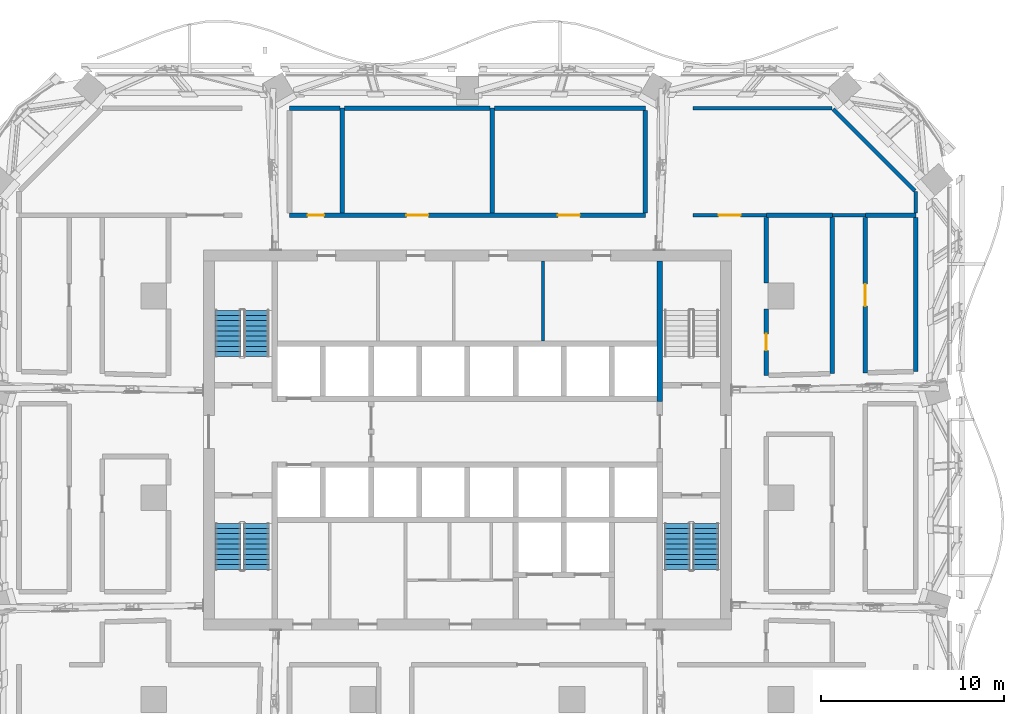
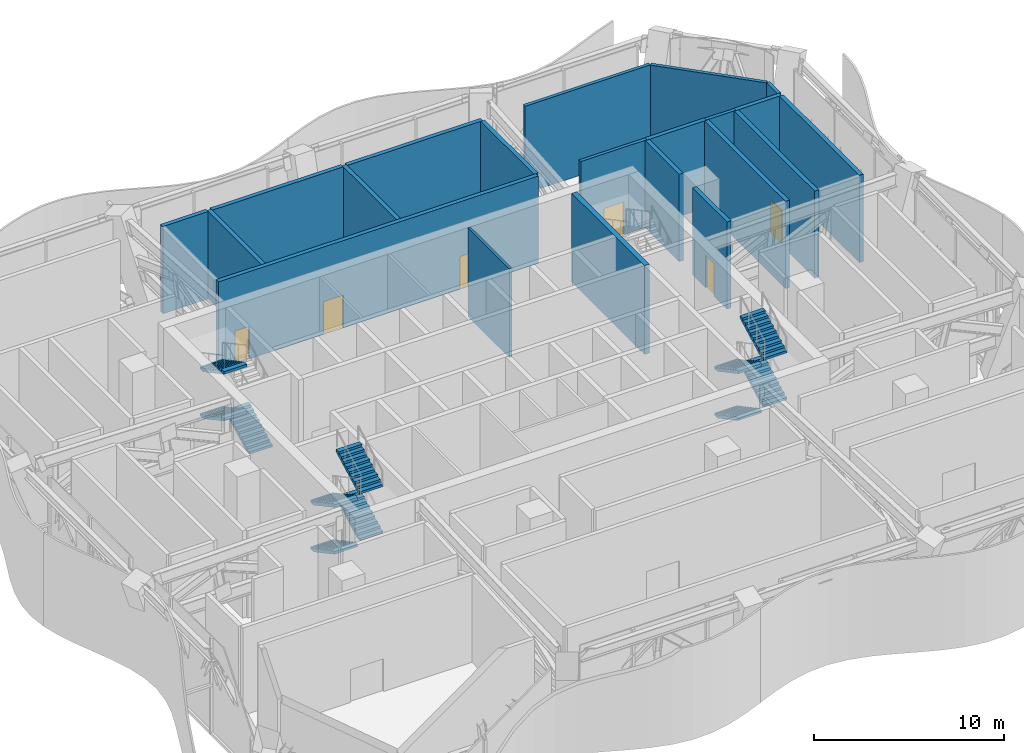
# One storey, part 11 of 26: 21 walls, 11 stair flights, 6 doors, 6 openings, 3 elements without a shape of their own.
"""IFC4 building model written with IfcOpenShell, lengths in metres."""

from ifc_helpers import new_model, si_unit, direction, frame, frame_2d, origin, place, context, subcontext, project, spatial, polyline, rectangle, outline, extrude, material, layer, layer_set, type_object, element, fill, aggregate, save


model = new_model("IFC4")

# Units and contexts
model_context = context("Model", 3, precision=1e-05, world=origin(), true_north=direction((0.0, 1.0)))
body_context = subcontext(model_context, "Body", "Model", "MODEL_VIEW")
ifc_project = project(units=[si_unit("LENGTHUNIT", "METRE"), si_unit("AREAUNIT", "SQUARE_METRE"), si_unit("VOLUMEUNIT", "CUBIC_METRE"), si_unit("PLANEANGLEUNIT", "RADIAN"), si_unit("MASSUNIT", "GRAM", prefix="KILO")], contexts=[model_context])

# Site, building, storey
site_placement = place(None, origin())
site = spatial("IfcSite", under=ifc_project, at=site_placement, CompositionType="ELEMENT")
building_placement = place(site_placement, origin())
building = spatial("IfcBuilding", under=site, at=building_placement, Name="Mopane Tessera Tower", CompositionType="ELEMENT")
storey_placement = place(building_placement, frame((0.0, 0.0, 205.0)))
storey = spatial("IfcBuildingStorey", under=building, at=storey_placement, Name="L43", CompositionType="ELEMENT", Elevation=205.0)

# Walls
ifc_material_1 = material(Name="Fire-rated gypsum board partition")
ifc_layer_1 = layer(ifc_material_1, 0.14990234375)
ifc_layer_set_1 = layer_set([ifc_layer_1], Name="Fire-rated gypsum board partition")
wall_type_1 = type_object("IfcWallType", Name="Core room partition 150 mm", PredefinedType="PARTITIONING", material=ifc_layer_set_1)
wall_1_placement = place(storey_placement, frame((4.125, 8.550048828125, 0.0), z_axis=(0.0, 0.0, 1.0), x_axis=(0.0, 1.0, 0.0)))
element("IfcWall", 1, at=wall_1_placement, inside=storey, type_object=wall_type_1, Name="L43 Room partition", PredefinedType="PARTITIONING", context=body_context, shape_type="SweptSolid", body=[
    extrude(rectangle(XDim=4.349853515625, YDim=0.14990234375, at=frame_2d((2.1748046875, 0.0))), origin(), (0.0, 0.0, 1.0), 5.699951171875),
])
ifc_material_2 = material(Name="Concrete C60/75", Category="concrete")
ifc_layer_2 = layer(ifc_material_2, 0.300048828125)
ifc_layer_set_2 = layer_set([ifc_layer_2], Name="Concrete C60/75")
wall_type_2 = type_object("IfcWallType", Name="Core spine wall 300 mm", PredefinedType="SHEAR", material=ifc_layer_set_2)
wall_2_placement = place(storey_placement, frame((10.5, 5.25, 0.0), z_axis=(0.0, 0.0, 1.0), x_axis=(0.0, 1.0, 0.0)))
element("IfcWall", 2, at=wall_2_placement, inside=storey, type_object=wall_type_2, Name="L43 Core spine wall", PredefinedType="SHEAR", context=body_context, shape_type="SweptSolid", body=[
    extrude(rectangle(XDim=7.64990234375, YDim=0.300048828125, at=frame_2d((3.824951171875, 0.0))), origin(), (0.0, 0.0, 1.0), 5.699951171875),
])

# Wall, opening, door
ifc_material_3 = material(Name="Gypsum board on steel studs, two layers each face, mineral wool infill", Category="steel")
ifc_layer_3 = layer(ifc_material_3, 0.199951171875)
ifc_layer_set_3 = layer_set([ifc_layer_3], Name="Gypsum board on steel studs, two layers each face, mineral wool infill")
wall_type_3 = type_object("IfcWallType", Name="Gypsum board corridor wall 200, rated EI 60", PredefinedType="PARTITIONING", material=ifc_layer_set_3)
wall_3_placement = place(storey_placement, frame((12.2900390625, 15.39990234375, 0.0), z_axis=(0.0, 0.0, 1.0), x_axis=(1.0, 0.0, 0.0)))
wall_3 = element("IfcWall", 3, at=wall_3_placement, inside=storey, type_object=wall_type_3, Name="Partition L43:023", PredefinedType="PARTITIONING", context=body_context, shape_type="SweptSolid", body=[
    extrude(rectangle(XDim=4.010009765625, YDim=0.199951171875, at=frame_2d((2.0048828125, 0.0))), origin(), (0.0, 0.0, 1.0), 5.60009765625),
])
opening_1_placement = place(wall_3_placement, frame((1.405029296875, 0.0, 0.0)))
opening_1 = element("IfcOpeningElement", 4, at=opening_1_placement, cuts=wall_3, Name="Opening L43-19", PredefinedType="OPENING", context=body_context, shape_type="SweptSolid", body=[
    extrude(rectangle(XDim=1.199951171875, YDim=2.10009765625, at=frame_2d((0.60009765625, 1.050048828125))), frame((0.0, 0.112060546875, 0.0), z_axis=(0.0, -1.0, 0.0), x_axis=(1.0, 0.0, 0.0)), (0.0, 0.0, 1.0), 0.223876953125),
])
ifc_material_4 = material(Name="Timber veneered steel-framed fire door", Category="steel")
door_type_1 = type_object("IfcDoorType", Name="Fire door FD60 1200 x 2100", OperationType="SINGLE_SWING_LEFT", PredefinedType="DOOR", material=ifc_material_4)
door_1_placement = place(opening_1_placement, origin())
door_1 = element("IfcDoor", 5, at=door_1_placement, inside=storey, type_object=door_type_1, Name="Door L43-19", ObjectType="D15A", OperationType="SINGLE_SWING_RIGHT", OverallHeight=2.10009765625, OverallWidth=1.199951171875, PredefinedType="DOOR", context=body_context, shape_type="SweptSolid", body=[
    extrude(rectangle(XDim=1.199951171875, YDim=2.10009765625, at=frame_2d((0.60009765625, 1.050048828125))), frame((0.0, 0.02490234375, 0.0), z_axis=(0.0, -1.0, 0.0), x_axis=(1.0, 0.0, 0.0)), (0.0, 0.0, 1.0), 0.050048828125),
])
fill(opening_1, door_1)

# Walls
wall_4_placement = place(storey_placement, frame((19.89990234375, 15.39990234375, 0.0), z_axis=(0.0, 0.0, 1.0), x_axis=(1.0, 0.0, 0.0)))
element("IfcWall", 6, at=wall_4_placement, inside=storey, type_object=wall_type_3, Name="Partition L43:024", PredefinedType="PARTITIONING", context=body_context, shape_type="SweptSolid", body=[
    extrude(rectangle(XDim=1.800048828125, YDim=0.199951171875, at=frame_2d((0.89990234375, 0.0))), origin(), (0.0, 0.0, 1.0), 5.60009765625),
])
wall_5_placement = place(storey_placement, frame((12.2900390625, 21.25, 0.0), z_axis=(0.0, 0.0, 1.0), x_axis=(1.0, 0.0, 0.0)))
element("IfcWall", 7, at=wall_5_placement, inside=storey, type_object=wall_type_3, Name="Partition L43:029", PredefinedType="PARTITIONING", context=body_context, shape_type="SweptSolid", body=[
    extrude(rectangle(XDim=7.599853515625, YDim=0.199951171875, at=frame_2d((3.7998046875, 0.0))), origin(), (0.0, 0.0, 1.0), 5.60009765625),
])
wall_6_placement = place(storey_placement, frame((24.449951171875, 15.52490234375, 0.0), z_axis=(0.0, 0.0, 1.0), x_axis=(0.0, 1.0, 0.0)))
element("IfcWall", 8, at=wall_6_placement, inside=storey, type_object=wall_type_3, Name="Partition L43:069", PredefinedType="PARTITIONING", context=body_context, shape_type="SweptSolid", body=[
    extrude(rectangle(XDim=1.1650390625, YDim=0.199951171875, at=frame_2d((0.58251953125, 0.0))), origin(), (0.0, 0.0, 1.0), 5.60009765625),
])
wall_7_placement = place(storey_placement, frame((19.93896484375, 21.200927734375, 0.0), z_axis=(0.0, 0.0, 1.0), x_axis=(0.707106781187, -0.707106781187, 0.0)))
element("IfcWall", 9, at=wall_7_placement, inside=storey, type_object=wall_type_3, Name="Partition L43:085", PredefinedType="PARTITIONING", context=body_context, shape_type="SweptSolid", body=[
    extrude(rectangle(XDim=6.31005859375, YDim=0.199951171875, at=frame_2d((3.155029296875, 0.0))), origin(), (0.0, 0.0, 1.0), 5.60009765625),
])

# Wall, openings, doors
ifc_material_5 = material(Name="Plastered concrete blockwork C20/25", Category="masonry")
ifc_layer_4 = layer(ifc_material_5, 0.25)
ifc_layer_set_4 = layer_set([ifc_layer_4], Name="Plastered concrete blockwork C20/25")
wall_type_4 = type_object("IfcWallType", Name="Plastered blockwork wall 250, rated EI 120", PredefinedType="PARTITIONING", material=ifc_layer_set_4)
wall_8_placement = place(storey_placement, frame((-9.699951171875, 15.39990234375, 0.0), z_axis=(0.0, 0.0, 1.0), x_axis=(1.0, 0.0, 0.0)))
wall_8 = element("IfcWall", 10, at=wall_8_placement, inside=storey, type_object=wall_type_4, Name="Partition L43:026", PredefinedType="PARTITIONING", context=body_context, shape_type="SweptSolid", body=[
    extrude(rectangle(XDim=19.39990234375, YDim=0.25, at=frame_2d((9.699951171875, 0.0))), origin(), (0.0, 0.0, 1.0), 5.60009765625),
])
opening_2_placement = place(wall_8_placement, frame((0.985107421875, 0.0, 0.0)))
opening_2 = element("IfcOpeningElement", 11, at=opening_2_placement, cuts=wall_8, Name="Opening L43-06", PredefinedType="OPENING", context=body_context, shape_type="SweptSolid", body=[
    extrude(rectangle(XDim=0.89990234375, YDim=2.10009765625, at=frame_2d((0.449951171875, 1.050048828125))), frame((0.0, 0.136962890625, 0.0), z_axis=(0.0, -1.0, 0.0), x_axis=(1.0, 0.0, 0.0)), (0.0, 0.0, 1.0), 0.27392578125),
])
opening_3_placement = place(wall_8_placement, frame((14.632568359375, 0.0, 0.0)))
opening_3 = element("IfcOpeningElement", 12, at=opening_3_placement, cuts=wall_8, Name="Opening L43-17", PredefinedType="OPENING", context=body_context, shape_type="SweptSolid", body=[
    extrude(rectangle(XDim=1.199951171875, YDim=2.10009765625, at=frame_2d((0.60009765625, 1.050048828125))), frame((0.0, 0.136962890625, 0.0), z_axis=(0.0, -1.0, 0.0), x_axis=(1.0, 0.0, 0.0)), (0.0, 0.0, 1.0), 0.27392578125),
])
opening_4_placement = place(wall_8_placement, frame((6.367431640625, 0.0, 0.0)))
opening_4 = element("IfcOpeningElement", 13, at=opening_4_placement, cuts=wall_8, Name="Opening L43-21", PredefinedType="OPENING", context=body_context, shape_type="SweptSolid", body=[
    extrude(rectangle(XDim=1.199951171875, YDim=2.10009765625, at=frame_2d((0.60009765625, 1.050048828125))), frame((0.0, 0.136962890625, 0.0), z_axis=(0.0, -1.0, 0.0), x_axis=(1.0, 0.0, 0.0)), (0.0, 0.0, 1.0), 0.27392578125),
])
ifc_material_6 = material(Name="Timber veneered steel-framed fire door", Category="steel")
door_type_2 = type_object("IfcDoorType", Name="Fire door FD120 1200 x 2100", OperationType="SINGLE_SWING_LEFT", PredefinedType="DOOR", material=ifc_material_6)
door_2_placement = place(opening_3_placement, origin())
door_2 = element("IfcDoor", 14, at=door_2_placement, inside=storey, type_object=door_type_2, Name="Door L43-17", ObjectType="D15B", OperationType="SINGLE_SWING_LEFT", OverallHeight=2.10009765625, OverallWidth=1.199951171875, PredefinedType="DOOR", context=body_context, shape_type="SweptSolid", body=[
    extrude(rectangle(XDim=1.199951171875, YDim=2.10009765625, at=frame_2d((0.60009765625, 1.050048828125))), frame((0.0, 0.02490234375, 0.0), z_axis=(0.0, -1.0, 0.0), x_axis=(1.0, 0.0, 0.0)), (0.0, 0.0, 1.0), 0.050048828125),
])
fill(opening_3, door_2)
door_3_placement = place(opening_4_placement, origin())
door_3 = element("IfcDoor", 15, at=door_3_placement, inside=storey, type_object=door_type_2, Name="Door L43-21", ObjectType="D15B", OperationType="SINGLE_SWING_LEFT", OverallHeight=2.10009765625, OverallWidth=1.199951171875, PredefinedType="DOOR", context=body_context, shape_type="SweptSolid", body=[
    extrude(rectangle(XDim=1.199951171875, YDim=2.10009765625, at=frame_2d((0.60009765625, 1.050048828125))), frame((0.0, 0.02490234375, 0.0), z_axis=(0.0, -1.0, 0.0), x_axis=(1.0, 0.0, 0.0)), (0.0, 0.0, 1.0), 0.050048828125),
])
fill(opening_4, door_3)
ifc_material_7 = material(Name="Timber veneered steel-framed fire door", Category="steel")
door_type_3 = type_object("IfcDoorType", Name="Fire door FD120 900 x 2100", OperationType="SINGLE_SWING_LEFT", PredefinedType="DOOR", material=ifc_material_7)
door_4_placement = place(opening_2_placement, origin())
door_4 = element("IfcDoor", 16, at=door_4_placement, inside=storey, type_object=door_type_3, Name="Door L43-06", ObjectType="D10B", OperationType="SINGLE_SWING_RIGHT", OverallHeight=2.10009765625, OverallWidth=0.89990234375, PredefinedType="DOOR", context=body_context, shape_type="SweptSolid", body=[
    extrude(rectangle(XDim=0.89990234375, YDim=2.10009765625, at=frame_2d((0.449951171875, 1.050048828125))), frame((0.0, 0.02490234375, 0.0), z_axis=(0.0, -1.0, 0.0), x_axis=(1.0, 0.0, 0.0)), (0.0, 0.0, 1.0), 0.050048828125),
])
fill(opening_2, door_4)

# Walls
wall_9_placement = place(storey_placement, frame((16.300048828125, 15.39990234375, 0.0), z_axis=(0.0, 0.0, 1.0), x_axis=(1.0, 0.0, 0.0)))
element("IfcWall", 17, at=wall_9_placement, inside=storey, type_object=wall_type_4, Name="Partition L43:027", PredefinedType="PARTITIONING", context=body_context, shape_type="SweptSolid", body=[
    extrude(rectangle(XDim=3.599853515625, YDim=0.25, at=frame_2d((1.7998046875, 0.0))), origin(), (0.0, 0.0, 1.0), 5.60009765625),
])
wall_10_placement = place(storey_placement, frame((21.699951171875, 15.39990234375, 0.0), z_axis=(0.0, 0.0, 1.0), x_axis=(1.0, 0.0, 0.0)))
element("IfcWall", 18, at=wall_10_placement, inside=storey, type_object=wall_type_4, Name="Partition L43:028", PredefinedType="PARTITIONING", context=body_context, shape_type="SweptSolid", body=[
    extrude(rectangle(XDim=2.75, YDim=0.25, at=frame_2d((1.375, 0.0))), origin(), (0.0, 0.0, 1.0), 5.60009765625),
])
wall_11_placement = place(storey_placement, frame((-9.699951171875, 21.25, 0.0), z_axis=(0.0, 0.0, 1.0), x_axis=(1.0, 0.0, 0.0)))
element("IfcWall", 19, at=wall_11_placement, inside=storey, type_object=wall_type_4, Name="Partition L43:031", PredefinedType="PARTITIONING", context=body_context, shape_type="SweptSolid", body=[
    extrude(rectangle(XDim=2.744873046875, YDim=0.25, at=frame_2d((1.37255859375, 0.0))), origin(), (0.0, 0.0, 1.0), 5.60009765625),
])
wall_12_placement = place(storey_placement, frame((-6.705078125, 21.25, 0.0), z_axis=(0.0, 0.0, 1.0), x_axis=(1.0, 0.0, 0.0)))
element("IfcWall", 20, at=wall_12_placement, inside=storey, type_object=wall_type_4, Name="Partition L43:032", PredefinedType="PARTITIONING", context=body_context, shape_type="SweptSolid", body=[
    extrude(rectangle(XDim=7.945068359375, YDim=0.25, at=frame_2d((3.97265625, 0.0))), origin(), (0.0, 0.0, 1.0), 5.60009765625),
])
wall_13_placement = place(storey_placement, frame((1.489990234375, 21.25, 0.0), z_axis=(0.0, 0.0, 1.0), x_axis=(1.0, 0.0, 0.0)))
element("IfcWall", 21, at=wall_13_placement, inside=storey, type_object=wall_type_4, Name="Partition L43:033", PredefinedType="PARTITIONING", context=body_context, shape_type="SweptSolid", body=[
    extrude(rectangle(XDim=8.2099609375, YDim=0.25, at=frame_2d((4.10498046875, 0.0))), origin(), (0.0, 0.0, 1.0), 5.60009765625),
])
for number, where, z_axis, x_axis, name in (
    (22, (-6.830078125, 15.52490234375, 0.0), (0.0, 0.0, 1.0), (0.0, 1.0, 0.0), "Partition L43:052"),
    (23, (1.364990234375, 15.52490234375, 0.0), (0.0, 0.0, 1.0), (0.0, 1.0, 0.0), "Partition L43:055"),
):
    element("IfcWall", number, at=place(storey_placement, frame(where, z_axis=z_axis, x_axis=x_axis)), inside=storey, type_object=wall_type_4, Name=name, PredefinedType="PARTITIONING", context=body_context, shape_type="SweptSolid", body=[
        extrude(rectangle(XDim=5.72509765625, YDim=0.25, at=frame_2d((2.862548828125, 0.0))), origin(), (0.0, 0.0, 1.0), 5.60009765625),
    ])
wall_14_placement = place(storey_placement, frame((9.699951171875, 15.52490234375, 0.0), z_axis=(0.0, 0.0, 1.0), x_axis=(0.0, 1.0, 0.0)))
element("IfcWall", 24, at=wall_14_placement, inside=storey, type_object=wall_type_4, Name="Partition L43:058", PredefinedType="PARTITIONING", context=body_context, shape_type="SweptSolid", body=[
    extrude(rectangle(XDim=5.60009765625, YDim=0.25, at=frame_2d((2.800048828125, 0.0))), origin(), (0.0, 0.0, 1.0), 5.60009765625),
])

# Wall, opening, door
wall_15_placement = place(storey_placement, frame((16.300048828125, 6.669921875, 0.0), z_axis=(0.0, 0.0, 1.0), x_axis=(0.0, 1.0, 0.0)))
wall_15 = element("IfcWall", 25, at=wall_15_placement, inside=storey, type_object=wall_type_4, Name="Partition L43:062", PredefinedType="PARTITIONING", context=body_context, shape_type="SweptSolid", body=[
    extrude(rectangle(XDim=3.630126953125, YDim=0.25, at=frame_2d((1.81494140625, 0.0))), origin(), (0.0, 0.0, 1.0), 5.60009765625),
])
opening_5_placement = place(wall_15_placement, frame((1.364990234375, 0.0, 0.0)))
opening_5 = element("IfcOpeningElement", 26, at=opening_5_placement, cuts=wall_15, Name="Opening L43-08", PredefinedType="OPENING", context=body_context, shape_type="SweptSolid", body=[
    extrude(rectangle(XDim=0.89990234375, YDim=2.10009765625, at=frame_2d((0.449951171875, 1.050048828125))), frame((0.0, 0.136962890625, 0.0), z_axis=(0.0, -1.0, 0.0), x_axis=(1.0, 0.0, 0.0)), (0.0, 0.0, 1.0), 0.27392578125),
])
door_5_placement = place(opening_5_placement, origin())
door_5 = element("IfcDoor", 27, at=door_5_placement, inside=storey, type_object=door_type_3, Name="Door L43-08", ObjectType="D10B", OperationType="SINGLE_SWING_LEFT", OverallHeight=2.10009765625, OverallWidth=0.89990234375, PredefinedType="DOOR", context=body_context, shape_type="SweptSolid", body=[
    extrude(rectangle(XDim=0.89990234375, YDim=2.10009765625, at=frame_2d((0.449951171875, 1.050048828125))), frame((0.0, 0.02490234375, 0.0), z_axis=(0.0, -1.0, 0.0), x_axis=(1.0, 0.0, 0.0)), (0.0, 0.0, 1.0), 0.050048828125),
])
fill(opening_5, door_5)

# Walls
wall_16_placement = place(storey_placement, frame((16.300048828125, 11.699951171875, 0.0), z_axis=(0.0, 0.0, 1.0), x_axis=(0.0, 1.0, 0.0)))
element("IfcWall", 28, at=wall_16_placement, inside=storey, type_object=wall_type_4, Name="Partition L43:063", PredefinedType="PARTITIONING", context=body_context, shape_type="SweptSolid", body=[
    extrude(rectangle(XDim=3.574951171875, YDim=0.25, at=frame_2d((1.78759765625, 0.0))), origin(), (0.0, 0.0, 1.0), 5.60009765625),
])
wall_17_placement = place(storey_placement, frame((19.89990234375, 6.77001953125, 0.0), z_axis=(0.0, 0.0, 1.0), x_axis=(0.0, 1.0, 0.0)))
element("IfcWall", 29, at=wall_17_placement, inside=storey, type_object=wall_type_4, Name="Partition L43:066", PredefinedType="PARTITIONING", context=body_context, shape_type="SweptSolid", body=[
    extrude(rectangle(XDim=8.5048828125, YDim=0.25, at=frame_2d((4.25244140625, 0.0))), origin(), (0.0, 0.0, 1.0), 5.60009765625),
])

# Wall, opening, door
wall_18_placement = place(storey_placement, frame((21.699951171875, 6.81494140625, 0.0), z_axis=(0.0, 0.0, 1.0), x_axis=(0.0, 1.0, 0.0)))
wall_18 = element("IfcWall", 30, at=wall_18_placement, inside=storey, type_object=wall_type_4, Name="Partition L43:068", PredefinedType="PARTITIONING", context=body_context, shape_type="SweptSolid", body=[
    extrude(rectangle(XDim=8.4599609375, YDim=0.25, at=frame_2d((4.22998046875, 0.0))), origin(), (0.0, 0.0, 1.0), 5.60009765625),
])
opening_6_placement = place(wall_18_placement, frame((3.6298828125, 0.0, 0.0)))
opening_6 = element("IfcOpeningElement", 31, at=opening_6_placement, cuts=wall_18, Name="Opening L43-04", PredefinedType="OPENING", context=body_context, shape_type="SweptSolid", body=[
    extrude(rectangle(XDim=1.199951171875, YDim=2.10009765625, at=frame_2d((0.60009765625, 1.050048828125))), frame((0.0, 0.136962890625, 0.0), z_axis=(0.0, -1.0, 0.0), x_axis=(1.0, 0.0, 0.0)), (0.0, 0.0, 1.0), 0.27392578125),
])
door_6_placement = place(opening_6_placement, origin())
door_6 = element("IfcDoor", 32, at=door_6_placement, inside=storey, type_object=door_type_2, Name="Door L43-04", ObjectType="D15B", OperationType="SINGLE_SWING_LEFT", OverallHeight=2.10009765625, OverallWidth=1.199951171875, PredefinedType="DOOR", context=body_context, shape_type="SweptSolid", body=[
    extrude(rectangle(XDim=1.199951171875, YDim=2.10009765625, at=frame_2d((0.60009765625, 1.050048828125))), frame((0.0, 0.02490234375, 0.0), z_axis=(0.0, -1.0, 0.0), x_axis=(1.0, 0.0, 0.0)), (0.0, 0.0, 1.0), 0.050048828125),
])
fill(opening_6, door_6)

# Wall
wall_19_placement = place(storey_placement, frame((24.449951171875, 6.889892578125, 0.0), z_axis=(0.0, 0.0, 1.0), x_axis=(0.0, 1.0, 0.0)))
element("IfcWall", 33, at=wall_19_placement, inside=storey, type_object=wall_type_4, Name="Partition L43:073", PredefinedType="PARTITIONING", context=body_context, shape_type="SweptSolid", body=[
    extrude(rectangle(XDim=8.385009765625, YDim=0.25, at=frame_2d((4.1923828125, 0.0))), origin(), (0.0, 0.0, 1.0), 5.60009765625),
])

# Stair, stair flights
ifc_material_8 = material(Name="Concrete C50/60", Category="concrete")
stair_type = type_object("IfcStairType", Name="Escape stair 1400 mm, riser 150 mm", PredefinedType="HALF_TURN_STAIR", material=ifc_material_8)
stair_1_placement = place(storey_placement, origin())
stair_1 = element("IfcStair", 34, at=stair_1_placement, inside=storey, type_object=stair_type, Name="L43 Escape stair south-west", PredefinedType="HALF_TURN_STAIR")
ifc_material_9 = material(Name="Concrete C50/60", Category="concrete")
stair_flight_type = type_object("IfcStairFlightType", Name="Escape stair flight 1400 mm", PredefinedType="STRAIGHT", material=ifc_material_9)
stair_flight_1_placement = place(storey_placement, frame((-13.050048828125, -1.39990234375, 0.0), z_axis=(0.0, 0.0, 1.0), x_axis=(0.0, -1.0, 0.0)))
stair_flight_1 = element("IfcStairFlight", 35, at=stair_flight_1_placement, type_object=stair_flight_type, Name="ST1 flight 1", NumberOfRisers=10, NumberOfTreads=9, PredefinedType="STRAIGHT", RiserHeight=0.15, TreadLength=0.28, context=body_context, shape_type="SweptSolid", body=[
    extrude(outline(polyline([(0.0, 0.0), (0.0, 0.14990234375), (0.280029296875, 0.14990234375), (0.280029296875, 0.300048828125), (0.56005859375, 0.300048828125), (0.56005859375, 0.449951171875), (0.840087890625, 0.449951171875), (0.840087890625, 0.60009765625), (1.1201171875, 0.60009765625), (1.1201171875, 0.75), (1.39990234375, 0.75), (1.39990234375, 0.89990234375), (1.679931640625, 0.89990234375), (1.679931640625, 1.050048828125), (1.9599609375, 1.050048828125), (1.9599609375, 1.199951171875), (2.239990234375, 1.199951171875), (2.239990234375, 1.35009765625), (2.52001953125, 1.35009765625), (2.52001953125, 1.5), (2.52001953125, 1.179931640625), (0.3173828125, 0.0), (0.0, 0.0)])), frame((0.0, 0.699951171875, 0.0), z_axis=(0.0, -1.0, 0.0), x_axis=(1.0, 0.0, 0.0)), (0.0, 0.0, 1.0), 1.39990234375),
])
stair_flight_2_placement = place(storey_placement, frame((-11.5, -3.919921875, 1.5), z_axis=(0.0, 0.0, 1.0), x_axis=(0.0, 1.0, 0.0)))
stair_flight_2 = element("IfcStairFlight", 36, at=stair_flight_2_placement, type_object=stair_flight_type, Name="ST1 flight 2", NumberOfRisers=10, NumberOfTreads=9, PredefinedType="STRAIGHT", RiserHeight=0.15, TreadLength=0.28, context=body_context, shape_type="SweptSolid", body=[
    extrude(outline(polyline([(0.0, 0.0), (0.0, 0.14990234375), (0.280029296875, 0.14990234375), (0.280029296875, 0.300048828125), (0.56005859375, 0.300048828125), (0.56005859375, 0.449951171875), (0.840087890625, 0.449951171875), (0.840087890625, 0.60009765625), (1.1201171875, 0.60009765625), (1.1201171875, 0.75), (1.39990234375, 0.75), (1.39990234375, 0.89990234375), (1.679931640625, 0.89990234375), (1.679931640625, 1.050048828125), (1.9599609375, 1.050048828125), (1.9599609375, 1.199951171875), (2.239990234375, 1.199951171875), (2.239990234375, 1.35009765625), (2.52001953125, 1.35009765625), (2.52001953125, 1.5), (2.52001953125, 1.179931640625), (0.3173828125, 0.0), (0.0, 0.0)])), frame((0.0, 0.699951171875, 0.0), z_axis=(0.0, -1.0, 0.0), x_axis=(1.0, 0.0, 0.0)), (0.0, 0.0, 1.0), 1.39990234375),
])
stair_flight_3_placement = place(storey_placement, frame((-13.050048828125, -1.39990234375, 3.0), z_axis=(0.0, 0.0, 1.0), x_axis=(0.0, -1.0, 0.0)))
stair_flight_3 = element("IfcStairFlight", 37, at=stair_flight_3_placement, type_object=stair_flight_type, Name="ST1 flight 3", NumberOfRisers=10, NumberOfTreads=9, PredefinedType="STRAIGHT", RiserHeight=0.15, TreadLength=0.28, context=body_context, shape_type="SweptSolid", body=[
    extrude(outline(polyline([(0.0, 0.0), (0.0, 0.14990234375), (0.280029296875, 0.14990234375), (0.280029296875, 0.300048828125), (0.56005859375, 0.300048828125), (0.56005859375, 0.449951171875), (0.840087890625, 0.449951171875), (0.840087890625, 0.60009765625), (1.1201171875, 0.60009765625), (1.1201171875, 0.75), (1.39990234375, 0.75), (1.39990234375, 0.89990234375), (1.679931640625, 0.89990234375), (1.679931640625, 1.050048828125), (1.9599609375, 1.050048828125), (1.9599609375, 1.199951171875), (2.239990234375, 1.199951171875), (2.239990234375, 1.35009765625), (2.52001953125, 1.35009765625), (2.52001953125, 1.5), (2.52001953125, 1.179931640625), (0.3173828125, 0.0), (0.0, 0.0)])), frame((0.0, 0.699951171875, 0.0), z_axis=(0.0, -1.0, 0.0), x_axis=(1.0, 0.0, 0.0)), (0.0, 0.0, 1.0), 1.39990234375),
])
stair_flight_4_placement = place(storey_placement, frame((-11.5, -3.919921875, 4.5), z_axis=(0.0, 0.0, 1.0), x_axis=(0.0, 1.0, 0.0)))
stair_flight_4 = element("IfcStairFlight", 38, at=stair_flight_4_placement, type_object=stair_flight_type, Name="ST1 flight 4", NumberOfRisers=10, NumberOfTreads=9, PredefinedType="STRAIGHT", RiserHeight=0.15, TreadLength=0.28, context=body_context, shape_type="SweptSolid", body=[
    extrude(outline(polyline([(0.0, 0.0), (0.0, 0.14990234375), (0.280029296875, 0.14990234375), (0.280029296875, 0.300048828125), (0.56005859375, 0.300048828125), (0.56005859375, 0.449951171875), (0.840087890625, 0.449951171875), (0.840087890625, 0.60009765625), (1.1201171875, 0.60009765625), (1.1201171875, 0.75), (1.39990234375, 0.75), (1.39990234375, 0.89990234375), (1.679931640625, 0.89990234375), (1.679931640625, 1.050048828125), (1.9599609375, 1.050048828125), (1.9599609375, 1.199951171875), (2.239990234375, 1.199951171875), (2.239990234375, 1.35009765625), (2.52001953125, 1.35009765625), (2.52001953125, 1.5), (2.52001953125, 1.179931640625), (0.3173828125, 0.0), (0.0, 0.0)])), frame((0.0, 0.699951171875, 0.0), z_axis=(0.0, -1.0, 0.0), x_axis=(1.0, 0.0, 0.0)), (0.0, 0.0, 1.0), 1.39990234375),
])
aggregate(stair_1, [stair_flight_1, stair_flight_2, stair_flight_3, stair_flight_4])

stair_2_placement = place(storey_placement, origin())
stair_2 = element("IfcStair", 39, at=stair_2_placement, inside=storey, type_object=stair_type, Name="L43 Escape stair north-west", PredefinedType="HALF_TURN_STAIR")
stair_flight_5_placement = place(storey_placement, frame((-11.5, 7.699951171875, 0.0), z_axis=(0.0, 0.0, 1.0), x_axis=(0.0, 1.0, 0.0)))
stair_flight_5 = element("IfcStairFlight", 40, at=stair_flight_5_placement, type_object=stair_flight_type, Name="ST2 flight 1", NumberOfRisers=10, NumberOfTreads=9, PredefinedType="STRAIGHT", RiserHeight=0.15, TreadLength=0.28, context=body_context, shape_type="SweptSolid", body=[
    extrude(outline(polyline([(0.0, 0.0), (0.0, 0.14990234375), (0.280029296875, 0.14990234375), (0.280029296875, 0.300048828125), (0.56005859375, 0.300048828125), (0.56005859375, 0.449951171875), (0.840087890625, 0.449951171875), (0.840087890625, 0.60009765625), (1.1201171875, 0.60009765625), (1.1201171875, 0.75), (1.39990234375, 0.75), (1.39990234375, 0.89990234375), (1.679931640625, 0.89990234375), (1.679931640625, 1.050048828125), (1.9599609375, 1.050048828125), (1.9599609375, 1.199951171875), (2.239990234375, 1.199951171875), (2.239990234375, 1.35009765625), (2.52001953125, 1.35009765625), (2.52001953125, 1.5), (2.52001953125, 1.179931640625), (0.3173828125, 0.0), (0.0, 0.0)])), frame((0.0, 0.699951171875, 0.0), z_axis=(0.0, -1.0, 0.0), x_axis=(1.0, 0.0, 0.0)), (0.0, 0.0, 1.0), 1.39990234375),
])
stair_flight_6_placement = place(storey_placement, frame((-13.050048828125, 10.219970703125, 1.5), z_axis=(0.0, 0.0, 1.0), x_axis=(0.0, -1.0, 0.0)))
stair_flight_6 = element("IfcStairFlight", 41, at=stair_flight_6_placement, type_object=stair_flight_type, Name="ST2 flight 2", NumberOfRisers=10, NumberOfTreads=9, PredefinedType="STRAIGHT", RiserHeight=0.15, TreadLength=0.28, context=body_context, shape_type="SweptSolid", body=[
    extrude(outline(polyline([(0.0, 0.0), (0.0, 0.14990234375), (0.280029296875, 0.14990234375), (0.280029296875, 0.300048828125), (0.56005859375, 0.300048828125), (0.56005859375, 0.449951171875), (0.840087890625, 0.449951171875), (0.840087890625, 0.60009765625), (1.1201171875, 0.60009765625), (1.1201171875, 0.75), (1.39990234375, 0.75), (1.39990234375, 0.89990234375), (1.679931640625, 0.89990234375), (1.679931640625, 1.050048828125), (1.9599609375, 1.050048828125), (1.9599609375, 1.199951171875), (2.239990234375, 1.199951171875), (2.239990234375, 1.35009765625), (2.52001953125, 1.35009765625), (2.52001953125, 1.5), (2.52001953125, 1.179931640625), (0.3173828125, 0.0), (0.0, 0.0)])), frame((0.0, 0.699951171875, 0.0), z_axis=(0.0, -1.0, 0.0), x_axis=(1.0, 0.0, 0.0)), (0.0, 0.0, 1.0), 1.39990234375),
])
stair_flight_7_placement = place(storey_placement, frame((-13.050048828125, 10.219970703125, 4.5), z_axis=(0.0, 0.0, 1.0), x_axis=(0.0, -1.0, 0.0)))
stair_flight_7 = element("IfcStairFlight", 42, at=stair_flight_7_placement, type_object=stair_flight_type, Name="ST2 flight 4", NumberOfRisers=10, NumberOfTreads=9, PredefinedType="STRAIGHT", RiserHeight=0.15, TreadLength=0.28, context=body_context, shape_type="SweptSolid", body=[
    extrude(outline(polyline([(0.0, 0.0), (0.0, 0.14990234375), (0.280029296875, 0.14990234375), (0.280029296875, 0.300048828125), (0.56005859375, 0.300048828125), (0.56005859375, 0.449951171875), (0.840087890625, 0.449951171875), (0.840087890625, 0.60009765625), (1.1201171875, 0.60009765625), (1.1201171875, 0.75), (1.39990234375, 0.75), (1.39990234375, 0.89990234375), (1.679931640625, 0.89990234375), (1.679931640625, 1.050048828125), (1.9599609375, 1.050048828125), (1.9599609375, 1.199951171875), (2.239990234375, 1.199951171875), (2.239990234375, 1.35009765625), (2.52001953125, 1.35009765625), (2.52001953125, 1.5), (2.52001953125, 1.179931640625), (0.3173828125, 0.0), (0.0, 0.0)])), frame((0.0, 0.699951171875, 0.0), z_axis=(0.0, -1.0, 0.0), x_axis=(1.0, 0.0, 0.0)), (0.0, 0.0, 1.0), 1.39990234375),
])
aggregate(stair_2, [stair_flight_5, stair_flight_6, stair_flight_7])

stair_3_placement = place(storey_placement, origin())
stair_3 = element("IfcStair", 43, at=stair_3_placement, inside=storey, type_object=stair_type, Name="L43 Escape stair south-east", PredefinedType="HALF_TURN_STAIR")
stair_flight_8_placement = place(storey_placement, frame((11.449951171875, -1.39990234375, 0.0), z_axis=(0.0, 0.0, 1.0), x_axis=(0.0, -1.0, 0.0)))
stair_flight_8 = element("IfcStairFlight", 44, at=stair_flight_8_placement, type_object=stair_flight_type, Name="ST3 flight 1", NumberOfRisers=10, NumberOfTreads=9, PredefinedType="STRAIGHT", RiserHeight=0.15, TreadLength=0.28, context=body_context, shape_type="SweptSolid", body=[
    extrude(outline(polyline([(0.0, 0.0), (0.0, 0.14990234375), (0.280029296875, 0.14990234375), (0.280029296875, 0.300048828125), (0.56005859375, 0.300048828125), (0.56005859375, 0.449951171875), (0.840087890625, 0.449951171875), (0.840087890625, 0.60009765625), (1.1201171875, 0.60009765625), (1.1201171875, 0.75), (1.39990234375, 0.75), (1.39990234375, 0.89990234375), (1.679931640625, 0.89990234375), (1.679931640625, 1.050048828125), (1.9599609375, 1.050048828125), (1.9599609375, 1.199951171875), (2.239990234375, 1.199951171875), (2.239990234375, 1.35009765625), (2.52001953125, 1.35009765625), (2.52001953125, 1.5), (2.52001953125, 1.179931640625), (0.3173828125, 0.0), (0.0, 0.0)])), frame((0.0, 0.699951171875, 0.0), z_axis=(0.0, -1.0, 0.0), x_axis=(1.0, 0.0, 0.0)), (0.0, 0.0, 1.0), 1.39990234375),
])
stair_flight_9_placement = place(storey_placement, frame((13.0, -3.919921875, 1.5), z_axis=(0.0, 0.0, 1.0), x_axis=(0.0, 1.0, 0.0)))
stair_flight_9 = element("IfcStairFlight", 45, at=stair_flight_9_placement, type_object=stair_flight_type, Name="ST3 flight 2", NumberOfRisers=10, NumberOfTreads=9, PredefinedType="STRAIGHT", RiserHeight=0.15, TreadLength=0.28, context=body_context, shape_type="SweptSolid", body=[
    extrude(outline(polyline([(0.0, 0.0), (0.0, 0.14990234375), (0.280029296875, 0.14990234375), (0.280029296875, 0.300048828125), (0.56005859375, 0.300048828125), (0.56005859375, 0.449951171875), (0.840087890625, 0.449951171875), (0.840087890625, 0.60009765625), (1.1201171875, 0.60009765625), (1.1201171875, 0.75), (1.39990234375, 0.75), (1.39990234375, 0.89990234375), (1.679931640625, 0.89990234375), (1.679931640625, 1.050048828125), (1.9599609375, 1.050048828125), (1.9599609375, 1.199951171875), (2.239990234375, 1.199951171875), (2.239990234375, 1.35009765625), (2.52001953125, 1.35009765625), (2.52001953125, 1.5), (2.52001953125, 1.179931640625), (0.3173828125, 0.0), (0.0, 0.0)])), frame((0.0, 0.699951171875, 0.0), z_axis=(0.0, -1.0, 0.0), x_axis=(1.0, 0.0, 0.0)), (0.0, 0.0, 1.0), 1.39990234375),
])
stair_flight_10_placement = place(storey_placement, frame((11.449951171875, -1.39990234375, 3.0), z_axis=(0.0, 0.0, 1.0), x_axis=(0.0, -1.0, 0.0)))
stair_flight_10 = element("IfcStairFlight", 46, at=stair_flight_10_placement, type_object=stair_flight_type, Name="ST3 flight 3", NumberOfRisers=10, NumberOfTreads=9, PredefinedType="STRAIGHT", RiserHeight=0.15, TreadLength=0.28, context=body_context, shape_type="SweptSolid", body=[
    extrude(outline(polyline([(0.0, 0.0), (0.0, 0.14990234375), (0.280029296875, 0.14990234375), (0.280029296875, 0.300048828125), (0.56005859375, 0.300048828125), (0.56005859375, 0.449951171875), (0.840087890625, 0.449951171875), (0.840087890625, 0.60009765625), (1.1201171875, 0.60009765625), (1.1201171875, 0.75), (1.39990234375, 0.75), (1.39990234375, 0.89990234375), (1.679931640625, 0.89990234375), (1.679931640625, 1.050048828125), (1.9599609375, 1.050048828125), (1.9599609375, 1.199951171875), (2.239990234375, 1.199951171875), (2.239990234375, 1.35009765625), (2.52001953125, 1.35009765625), (2.52001953125, 1.5), (2.52001953125, 1.179931640625), (0.3173828125, 0.0), (0.0, 0.0)])), frame((0.0, 0.699951171875, 0.0), z_axis=(0.0, -1.0, 0.0), x_axis=(1.0, 0.0, 0.0)), (0.0, 0.0, 1.0), 1.39990234375),
])
stair_flight_11_placement = place(storey_placement, frame((13.0, -3.919921875, 4.5), z_axis=(0.0, 0.0, 1.0), x_axis=(0.0, 1.0, 0.0)))
stair_flight_11 = element("IfcStairFlight", 47, at=stair_flight_11_placement, type_object=stair_flight_type, Name="ST3 flight 4", NumberOfRisers=10, NumberOfTreads=9, PredefinedType="STRAIGHT", RiserHeight=0.15, TreadLength=0.28, context=body_context, shape_type="SweptSolid", body=[
    extrude(outline(polyline([(0.0, 0.0), (0.0, 0.14990234375), (0.280029296875, 0.14990234375), (0.280029296875, 0.300048828125), (0.56005859375, 0.300048828125), (0.56005859375, 0.449951171875), (0.840087890625, 0.449951171875), (0.840087890625, 0.60009765625), (1.1201171875, 0.60009765625), (1.1201171875, 0.75), (1.39990234375, 0.75), (1.39990234375, 0.89990234375), (1.679931640625, 0.89990234375), (1.679931640625, 1.050048828125), (1.9599609375, 1.050048828125), (1.9599609375, 1.199951171875), (2.239990234375, 1.199951171875), (2.239990234375, 1.35009765625), (2.52001953125, 1.35009765625), (2.52001953125, 1.5), (2.52001953125, 1.179931640625), (0.3173828125, 0.0), (0.0, 0.0)])), frame((0.0, 0.699951171875, 0.0), z_axis=(0.0, -1.0, 0.0), x_axis=(1.0, 0.0, 0.0)), (0.0, 0.0, 1.0), 1.39990234375),
])
aggregate(stair_3, [stair_flight_8, stair_flight_9, stair_flight_10, stair_flight_11])

save(model, "model.ifc")
